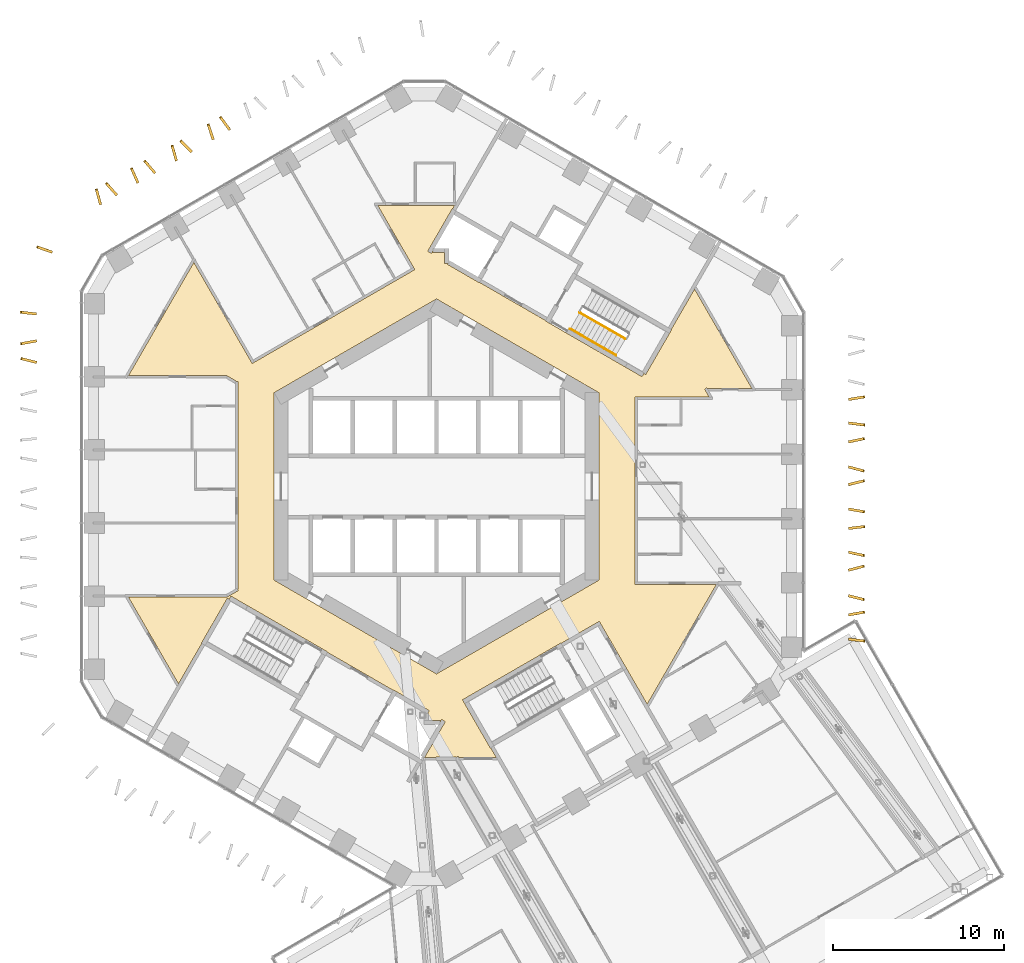
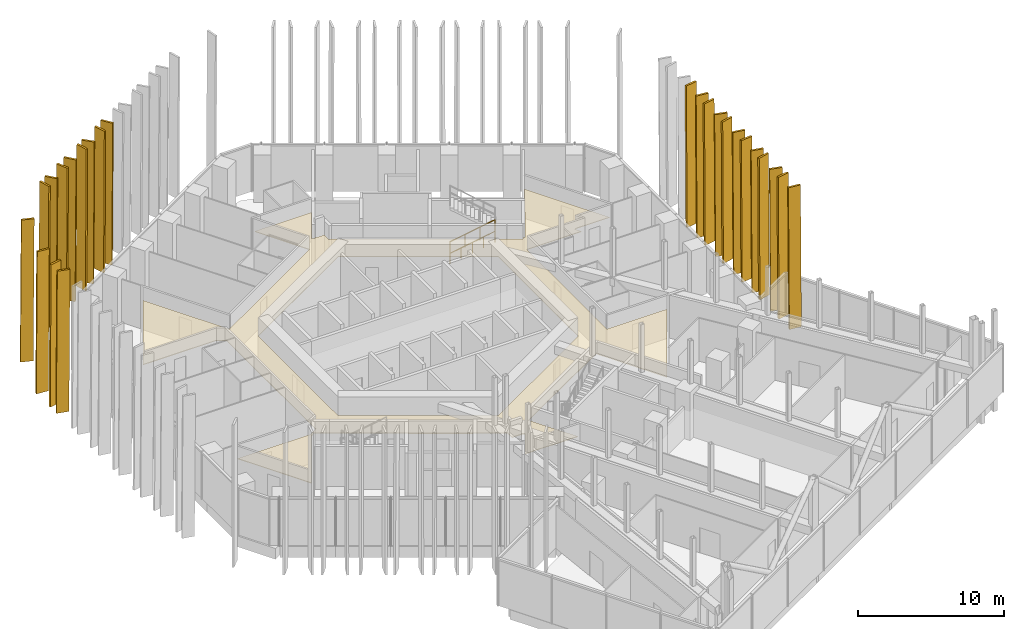
# One storey, part 28 of 29: 24 shading devices, 3 railings, 1 covering.
"""IFC4 building model written with IfcOpenShell, lengths in metres."""

from ifc_helpers import new_model, si_unit, direction, frame, origin, origin_2d, place, context, subcontext, project, spatial, polyline, circle, outline, extrude, material, layer, layer_set, type_object, element, save


model = new_model("IFC4")

# Units and contexts
model_context = context("Model", 3, precision=1e-05, world=origin(), true_north=direction((0.0, 1.0)))
body_context = subcontext(model_context, "Body", "Model", "MODEL_VIEW")
ifc_project = project(units=[si_unit("LENGTHUNIT", "METRE"), si_unit("AREAUNIT", "SQUARE_METRE"), si_unit("VOLUMEUNIT", "CUBIC_METRE"), si_unit("PLANEANGLEUNIT", "RADIAN"), si_unit("MASSUNIT", "GRAM", prefix="KILO")], contexts=[model_context])

# Site, building, storey
site_placement = place(None, origin())
site = spatial("IfcSite", under=ifc_project, at=site_placement, CompositionType="ELEMENT")
building_placement = place(site_placement, origin())
building = spatial("IfcBuilding", under=site, at=building_placement, Name="Ayvan Gate Tower", CompositionType="ELEMENT")
storey_placement = place(building_placement, frame((0.0, 0.0, 66.300048828125)))
storey = spatial("IfcBuildingStorey", under=building, at=storey_placement, Name="L17", CompositionType="ELEMENT", Elevation=66.300048828125)

# Shading devices
ifc_material_1 = material(Name="Bronze anodised aluminium", Category="aluminium")
ifc_layer_1 = layer(ifc_material_1, 0.14990234375)
ifc_layer_set_1 = layer_set([ifc_layer_1], Name="Bronze anodised aluminium")
shading_device_type = type_object("IfcShadingDeviceType", Name="Bronze fin 900 x 150", PredefinedType="USERDEFINED", material=ifc_layer_set_1)
shading_device_1_placement = place(storey_placement, frame((24.170654296875, -9.021240234375, 0.0), z_axis=(-0.116919944087, -0.993141334805, 0.000125603117), x_axis=(0.993141342639, -0.116919945009, 0.0)))
element("IfcShadingDevice", 1, at=shading_device_1_placement, inside=storey, type_object=shading_device_type, Name="Bronze fin FG05.6.52", ObjectType="FIN", PredefinedType="USERDEFINED", context=body_context, shape_type="SweptSolid", body=[
    extrude(outline(polyline([(0.0, 0.0), (0.8999714237550794, 1.6940658945086007e-21), (0.8312101170041827, 11.879882906209366), (-0.06876130675089671, 11.879882906209366), (0.0, 0.0)])), origin(), (0.0, 0.0, -1.0), 0.14990234375),
])
shading_device_2_placement = place(storey_placement, frame((24.188232421875, -7.578857421875, 0.0), z_axis=(0.170992085078, -0.985272395063, 0.000119866727), x_axis=(0.985272402141, 0.170992086304, -1.6015e-08)))
element("IfcShadingDevice", 2, at=shading_device_2_placement, inside=storey, type_object=shading_device_type, Name="Bronze fin FG05.6.53", ObjectType="FIN", PredefinedType="USERDEFINED", context=body_context, shape_type="SweptSolid", body=[
    extrude(outline(polyline([(0.0, 0.0), (0.9002001101931346, 3.3881317890172014e-21), (0.8313345225197123, 11.879882911159067), (-0.06890733378824267, 11.879882882325052), (0.0, 0.0)])), origin(), (0.0, 0.0, -1.0), 0.14990234375),
])
shading_device_3_placement = place(storey_placement, frame((24.149658203125, -6.48583984375, 0.0), z_axis=(-0.243173801141, -0.969982724907, 0.000125779677), x_axis=(0.969982732579, -0.243173803066, -1.6546e-08)))
element("IfcShadingDevice", 3, at=shading_device_3_placement, inside=storey, type_object=shading_device_type, Name="Bronze fin FG05.6.54", ObjectType="FIN", PredefinedType="USERDEFINED", context=body_context, shape_type="SweptSolid", body=[
    extrude(outline(polyline([(0.0, 0.0), (0.9000940315074558, -6.776263578034403e-21), (0.831228273786101, 11.87988292022663), (-0.06880638911709061, 11.87988289044145), (0.0, 0.0)])), origin(), (0.0, 0.0, -1.0), 0.14990234375),
])
shading_device_4_placement = place(storey_placement, frame((24.185546875, -4.9609375, 0.0), z_axis=(0.255821720666, -0.966723967755, 0.000131921094), x_axis=(0.966723976167, 0.255821722893, 4.578e-09)))
element("IfcShadingDevice", 4, at=shading_device_4_placement, inside=storey, type_object=shading_device_type, Name="Bronze fin FG05.6.55", ObjectType="FIN", PredefinedType="USERDEFINED", context=body_context, shape_type="SweptSolid", body=[
    extrude(outline(polyline([(0.0, 0.0), (0.8998235868581488, 0.0), (0.8310329666431684, 11.879882912069121), (-0.06902663681072432, 11.879882920309528), (0.0, 0.0)])), origin(), (0.0, 0.0, -1.0), 0.14990234375),
])
shading_device_5_placement = place(storey_placement, frame((24.156494140625, -3.9384765625, 0.0), z_axis=(-0.207240688221, -0.97828997653, 0.00013771639), x_axis=(0.978289985807, -0.207240690187, -3.871e-09)))
element("IfcShadingDevice", 5, at=shading_device_5_placement, inside=storey, type_object=shading_device_type, Name="Bronze fin FG05.6.56", ObjectType="FIN", PredefinedType="USERDEFINED", context=body_context, shape_type="SweptSolid", body=[
    extrude(outline(polyline([(0.0, 0.0), (0.8999134707333823, 0.0), (0.8311824430584546, 11.879882928373622), (-0.06896986800349401, 11.879882921404816), (0.0, 0.0)])), origin(), (0.0, 0.0, -1.0), 0.14990234375),
])
shading_device_6_placement = place(storey_placement, frame((24.188232421875, -2.52490234375, 0.0), z_axis=(0.11501535014, -0.993363708046, 0.000112998218), x_axis=(0.993363714388, 0.115015350874, 0.0)))
element("IfcShadingDevice", 6, at=shading_device_6_placement, inside=storey, type_object=shading_device_type, Name="Bronze fin FG05.6.57", ObjectType="FIN", PredefinedType="USERDEFINED", context=body_context, shape_type="SweptSolid", body=[
    extrude(outline(polyline([(0.0, 0.0), (0.9000157301905641, 0.0), (0.8311093292587497, 11.87988288834472), (-0.06890640093181438, 11.87988288834472), (0.0, 0.0)])), origin(), (0.0, 0.0, -1.0), 0.14990234375),
])
shading_device_7_placement = place(storey_placement, frame((24.162841796875, -1.412109375, 0.0), z_axis=(-0.169366518558, -0.985553128006, 0.000119452666), x_axis=(0.985553135038, -0.169366519764, 1.5964e-08)))
element("IfcShadingDevice", 7, at=shading_device_7_placement, inside=storey, type_object=shading_device_type, Name="Bronze fin FG05.6.58", ObjectType="FIN", PredefinedType="USERDEFINED", context=body_context, shape_type="SweptSolid", body=[
    extrude(outline(polyline([(0.0, 0.0), (0.9001916018214011, 3.3881317890172014e-21), (0.8313503256670608, 11.879882883984706), (-0.0688826254023296, 11.879882912727297), (0.0, 0.0)])), origin(), (0.0, 0.0, -1.0), 0.14990234375),
])
shading_device_8_placement = place(storey_placement, frame((24.186279296875, 0.04736328125, 0.0), z_axis=(0.240907528111, -0.970548065108, 0.000127333415), x_axis=(0.970548072977, 0.240907530063, -4.16e-09)))
element("IfcShadingDevice", 8, at=shading_device_8_placement, inside=storey, type_object=shading_device_type, Name="Bronze fin FG05.6.59", ObjectType="FIN", PredefinedType="USERDEFINED", context=body_context, shape_type="SweptSolid", body=[
    extrude(outline(polyline([(0.0, 0.0), (0.9000358622575364, 0.0), (0.8309910044806206, 11.879882912266332), (-0.0688079075637869, 11.879882904778162), (0.0, 0.0)])), origin(), (0.0, 0.0, -1.0), 0.14990234375),
])
shading_device_9_placement = place(storey_placement, frame((24.146728515625, 1.0537109375, 0.0), z_axis=(-0.256869085612, -0.96644620067, 0.000118604222), x_axis=(0.966446207468, -0.256869087418, 0.0)))
element("IfcShadingDevice", 9, at=shading_device_9_placement, inside=storey, type_object=shading_device_type, Name="Bronze fin FG05.6.60", ObjectType="FIN", PredefinedType="USERDEFINED", context=body_context, shape_type="SweptSolid", body=[
    extrude(outline(polyline([(0.0, 0.0), (0.9000739411603745, 0.0), (0.8312402714722882, 11.879882896056928), (-0.06883366968808632, 11.879882896056928), (0.0, 0.0)])), origin(), (0.0, 0.0, -1.0), 0.14990234375),
])
shading_device_10_placement = place(storey_placement, frame((24.1875, 2.540771484375, 0.0), z_axis=(0.21241837981, -0.977178804696, 0.000124789062), x_axis=(0.977178812304, 0.212418381464, 0.0)))
element("IfcShadingDevice", 10, at=shading_device_10_placement, inside=storey, type_object=shading_device_type, Name="Bronze fin FG05.6.61", ObjectType="FIN", PredefinedType="USERDEFINED", context=body_context, shape_type="SweptSolid", body=[
    extrude(outline(polyline([(0.0, 0.0), (0.8999320494643508, 0.0), (0.831047986083659, 11.879882904998611), (-0.06888406338069175, 11.879882904998611), (0.0, 0.0)])), origin(), (0.0, 0.0, -1.0), 0.14990234375),
])
shading_device_11_placement = place(storey_placement, frame((24.169921875, 3.626953125, 0.0), z_axis=(-0.122331960709, -0.992489233338, 0.000114446204), x_axis=(0.992489239837, -0.12233196151, 0.0)))
element("IfcShadingDevice", 11, at=shading_device_11_placement, inside=storey, type_object=shading_device_type, Name="Bronze fin FG05.6.62", ObjectType="FIN", PredefinedType="USERDEFINED", context=body_context, shape_type="SweptSolid", body=[
    extrude(outline(polyline([(0.0, 0.0), (0.9000707625015218, 0.0), (0.8312724772537068, 11.87988289030096), (-0.06879828524781506, 11.87988289030096), (0.0, 0.0)])), origin(), (0.0, 0.0, -1.0), 0.14990234375),
])
shading_device_12_placement = place(storey_placement, frame((24.1884765625, 5.0234375, 0.0), z_axis=(0.162749270337, -0.986667451419, 0.000123750986), x_axis=(0.986667458974, 0.162749271584, 2.732e-09)))
element("IfcShadingDevice", 12, at=shading_device_12_placement, inside=storey, type_object=shading_device_type, Name="Bronze fin FG05.6.63", ObjectType="FIN", PredefinedType="USERDEFINED", context=body_context, shape_type="SweptSolid", body=[
    extrude(outline(polyline([(0.0, 0.0), (0.8999411892675948, 3.3881317890172014e-21), (0.831144788148625, 11.879882901195488), (-0.06903728672907099, 11.879882906113233), (0.0, 0.0)])), origin(), (0.0, 0.0, -1.0), 0.14990234375),
])
shading_device_13_placement = place(storey_placement, frame((-12.075927734375, 20.957763671875, 0.0), z_axis=(0.807296671826, 0.590145802943, 0.000122179778), x_axis=(-0.590145807349, 0.807296677851, 1.3377e-08)))
element("IfcShadingDevice", 13, at=shading_device_13_placement, inside=storey, type_object=shading_device_type, Name="Bronze fin FG05.10.91", ObjectType="FIN", PredefinedType="USERDEFINED", context=body_context, shape_type="SweptSolid", body=[
    extrude(outline(polyline([(0.0, 0.0), (0.9000664526548843, -1.3552527156068805e-20), (0.8311971893650119, 11.879882890051677), (-0.06872518472362511, 11.87988291413064), (0.0, 0.0)])), origin(), (0.0, 0.0, -1.0), 0.14990234375),
])
shading_device_14_placement = place(storey_placement, frame((-13.014404296875, 20.380859375, 0.0), z_axis=(0.949116402528, 0.314925448224, 0.000128508212), x_axis=(-0.314925450824, 0.949116410365, 0.0)))
element("IfcShadingDevice", 14, at=shading_device_14_placement, inside=storey, type_object=shading_device_type, Name="Bronze fin FG05.10.92", ObjectType="FIN", PredefinedType="USERDEFINED", context=body_context, shape_type="SweptSolid", body=[
    extrude(outline(polyline([(0.0, 0.0), (0.9000455977227162, 0.0), (0.8311002258436092, 11.879882910594334), (-0.06894537187910693, 11.879882910594334), (0.0, 0.0)])), origin(), (0.0, 0.0, -1.0), 0.14990234375),
])
shading_device_15_placement = place(storey_placement, frame((-14.311767578125, 19.6640625, 0.0), z_axis=(0.710421866414, 0.70377607194, 0.00011083571), x_axis=(-0.703776076264, 0.710421870777, 1.0678e-08)))
element("IfcShadingDevice", 15, at=shading_device_15_placement, inside=storey, type_object=shading_device_type, Name="Bronze fin FG05.10.93", ObjectType="FIN", PredefinedType="USERDEFINED", context=body_context, shape_type="SweptSolid", body=[
    extrude(outline(polyline([(0.0, 0.0), (0.9001205560230299, 6.776263578034403e-21), (0.8312333790454912, 11.87988287659331), (-0.06871535664641966, 11.879882895815136), (0.0, 0.0)])), origin(), (0.0, 0.0, -1.0), 0.14990234375),
])
shading_device_16_placement = place(storey_placement, frame((-15.1630859375, 19.13037109375, 0.0), z_axis=(0.962652035901, 0.270741646281, 0.000136913229), x_axis=(-0.270741648818, 0.962652044923, -5.027e-09)))
element("IfcShadingDevice", 16, at=shading_device_16_placement, inside=storey, type_object=shading_device_type, Name="Bronze fin FG05.10.94", ObjectType="FIN", PredefinedType="USERDEFINED", context=body_context, shape_type="SweptSolid", body=[
    extrude(outline(polyline([(0.0, 0.0), (0.9000615900765889, 0.0), (0.8310384405754466, 11.879882928023497), (-0.0687881270292371, 11.879882918974845), (0.0, 0.0)])), origin(), (0.0, 0.0, -1.0), 0.14990234375),
])
shading_device_17_placement = place(storey_placement, frame((-16.453125, 18.430908203125, 0.0), z_axis=(0.76040437476, 0.64944990124, 0.000112365298), x_axis=(-0.64944990534, 0.76040437956, 0.0)))
element("IfcShadingDevice", 17, at=shading_device_17_placement, inside=storey, type_object=shading_device_type, Name="Bronze fin FG05.10.95", ObjectType="FIN", PredefinedType="USERDEFINED", context=body_context, shape_type="SweptSolid", body=[
    extrude(outline(polyline([(0.0, 0.0), (0.8999503294165867, -6.776263578034403e-21), (0.8310978665748096, 11.879882887497466), (-0.06885246284177711, 11.879882887497466), (0.0, 0.0)])), origin(), (0.0, 0.0, -1.0), 0.14990234375),
])
shading_device_18_placement = place(storey_placement, frame((-17.427001953125, 17.8505859375, 0.0), z_axis=(0.91245868654, 0.4091688254, 0.000132956606), x_axis=(-0.409168829015, 0.912458694606, -1.6454e-08)))
element("IfcShadingDevice", 18, at=shading_device_18_placement, inside=storey, type_object=shading_device_type, Name="Bronze fin FG05.10.96", ObjectType="FIN", PredefinedType="USERDEFINED", context=body_context, shape_type="SweptSolid", body=[
    extrude(outline(polyline([(0.0, 0.0), (0.9000336042016495, 6.776263578034403e-21), (0.831225141404441, 11.879882931180145), (-0.06890835753085464, 11.879882901559993), (0.0, 0.0)])), origin(), (0.0, 0.0, -1.0), 0.14990234375),
])
shading_device_19_placement = place(storey_placement, frame((-18.690185546875, 17.138916015625, 0.0), z_axis=(0.748351522836, 0.663302328561, 0.00013854654), x_axis=(-0.663302334928, 0.748351530017, 1.2467e-08)))
element("IfcShadingDevice", 19, at=shading_device_19_placement, inside=storey, type_object=shading_device_type, Name="Bronze fin FG05.10.97", ObjectType="FIN", PredefinedType="USERDEFINED", context=body_context, shape_type="SweptSolid", body=[
    extrude(outline(polyline([(0.0, 0.0), (0.8998358712613181, 0.0), (0.8310819656759802, 11.879882916157124), (-0.06893660859559597, 11.879882938595497), (0.0, 0.0)])), origin(), (0.0, 0.0, -1.0), 0.14990234375),
])
shading_device_20_placement = place(storey_placement, frame((-19.598876953125, 16.567626953125, 0.0), z_axis=(0.964795108599, 0.263002631178, 0.000120073052), x_axis=(-0.263002633073, 0.964795115554, -1.1432e-08)))
element("IfcShadingDevice", 20, at=shading_device_20_placement, inside=storey, type_object=shading_device_type, Name="Bronze fin FG05.10.98", ObjectType="FIN", PredefinedType="USERDEFINED", context=body_context, shape_type="SweptSolid", body=[
    extrude(outline(polyline([(0.0, 0.0), (0.8998195757708535, -3.3881317890172014e-21), (0.8311492139888191, 11.879882907640736), (-0.06897011709175765, 11.879882887064467), (0.0, 0.0)])), origin(), (0.0, 0.0, -1.0), 0.14990234375),
])
shading_device_21_placement = place(storey_placement, frame((-22.520751953125, 13.800048828125, 0.0), z_axis=(0.325936339074, 0.945391711753, 0.000119247062), x_axis=(-0.945391718475, 0.325936341389, 1.5292e-08)))
element("IfcShadingDevice", 21, at=shading_device_21_placement, inside=storey, type_object=shading_device_type, Name="Bronze fin FG05.11.99", ObjectType="FIN", PredefinedType="USERDEFINED", context=body_context, shape_type="SweptSolid", body=[
    extrude(outline(polyline([(0.0, 0.0), (0.8999364465075954, 6.776263578034403e-21), (0.8310536617387217, 11.879882884256869), (-0.06896235907097066, 11.879882911781324), (0.0, 0.0)])), origin(), (0.0, 0.0, -1.0), 0.14990234375),
])
shading_device_22_placement = place(storey_placement, frame((-23.459716796875, 10.173828125, 0.0), z_axis=(0.106873121747, 0.994272659301, 0.000121717596), x_axis=(-0.994272666666, 0.106873122539, 1.764e-09)))
element("IfcShadingDevice", 22, at=shading_device_22_placement, inside=storey, type_object=shading_device_type, Name="Bronze fin FG05.12.100", ObjectType="FIN", PredefinedType="USERDEFINED", context=body_context, shape_type="SweptSolid", body=[
    extrude(outline(polyline([(0.0, 0.0), (0.900173732001286, 0.0), (0.8312665803313133, 11.879882899034882), (-0.06866440931971259, 11.87988290221032), (0.0, 0.0)])), origin(), (0.0, 0.0, -1.0), 0.14990234375),
])
shading_device_23_placement = place(storey_placement, frame((-23.47607421875, 8.580078125, 0.0), z_axis=(-0.17863477265, 0.983915444801, 0.000124432065), x_axis=(-0.983915452417, -0.178634774035, 1.6606e-08)))
element("IfcShadingDevice", 23, at=shading_device_23_placement, inside=storey, type_object=shading_device_type, Name="Bronze fin FG05.12.101", ObjectType="FIN", PredefinedType="USERDEFINED", context=body_context, shape_type="SweptSolid", body=[
    extrude(outline(polyline([(0.0, 0.0), (0.8999955229507989, 0.0), (0.8310135483370825, 11.879882890670483), (-0.06893836260833673, 11.87988292056005), (0.0, 0.0)])), origin(), (0.0, 0.0, -1.0), 0.14990234375),
])
shading_device_24_placement = place(storey_placement, frame((-23.436767578125, 7.340087890625, 0.0), z_axis=(0.246331831909, 0.96918553909, 0.000139313781), x_axis=(-0.969185548495, 0.246331834298, 4.654e-09)))
element("IfcShadingDevice", 24, at=shading_device_24_placement, inside=storey, type_object=shading_device_type, Name="Bronze fin FG05.12.102", ObjectType="FIN", PredefinedType="USERDEFINED", context=body_context, shape_type="SweptSolid", body=[
    extrude(outline(polyline([(0.0, 0.0), (0.9000413257604744, -3.3881317890172014e-21), (0.8311107930175704, 11.879882923916034), (-0.06869391517735349, 11.879882932293208), (0.0, 0.0)])), origin(), (0.0, 0.0, -1.0), 0.14990234375),
])

# Covering
ifc_material_2 = material(Name="Plasterboard suspended ceiling")
ifc_layer_2 = layer(ifc_material_2, 0.050048828125)
ifc_layer_set_2 = layer_set([ifc_layer_2], Name="Plasterboard suspended ceiling")
covering_type = type_object("IfcCoveringType", Name="CT-SUSP-50", PredefinedType="CEILING", material=ifc_layer_set_2)
covering_placement = place(storey_placement, frame((0.0, 0.0, 2.39990234375)))
element("IfcCovering", 25, at=covering_placement, inside=storey, type_object=covering_type, Name="Ceiling Ring Corridor L17", PredefinedType="CEILING", context=body_context, shape_type="SweptSolid", body=[
    extrude(outline(polyline([(-15.097412109375, -11.5498046875), (-18.023193359375, -6.482421875), (-12.2470703125, -6.482421875), (-12.2470703125, -6.464599609375), (-11.597412109375, -6.089599609375), (-11.656494140625, -5.9873046875), (-11.625, -5.9873046875), (-11.625, 6.13720703125), (-11.743408203125, 6.13720703125), (-11.7275390625, 6.164794921875), (-12.2470703125, 6.464599609375), (-12.2470703125, 6.482421875), (-18.023193359375, 6.482421875), (-14.1982421875, 13.107421875), (-10.78564453125, 7.1962890625), (-10.673095703125, 7.261474609375), (-1.2724609375, 12.688720703125), (-1.33740234375, 12.80126953125), (-3.43603515625, 16.43603515625), (-2.988525390625, 16.43603515625), (-2.988525390625, 16.44970703125), (1.06787109375, 16.44970703125), (0.9404296875, 16.22900390625), (0.918701171875, 16.241455078125), (-0.511474609375, 13.76416015625), (-0.294921875, 13.63916015625), (-0.215576171875, 13.776611328125), (-0.215576171875, 13.68505859375), (0.47509765625, 13.68505859375), (0.47509765625, 13.03857421875), (0.672119140625, 13.03857421875), (0.645751953125, 12.992919921875), (2.518310546875, 11.91162109375), (2.53076171875, 11.933349609375), (6.384521484375, 9.70849609375), (6.3720703125, 9.686767578125), (6.588623046875, 9.561767578125), (11.03759765625, 6.9931640625), (12.02294921875, 6.42431640625), (12.130126953125, 6.60986328125), (12.23828125, 6.54736328125), (13.631103515625, 8.959716796875), (13.756103515625, 9.176513671875), (13.734619140625, 9.188720703125), (15.097412109375, 11.5498046875), (18.450439453125, 5.742431640625), (15.8681640625, 5.742431640625), (15.8681640625, 5.6875), (15.82080078125, 5.769775390625), (15.690673828125, 5.69482421875), (15.951904296875, 5.242431640625), (11.625, 5.242431640625), (11.625, -5.742431640625), (16.3720703125, -5.742431640625), (12.326171875, -12.749755859375), (11.123779296875, -10.667236328125), (9.623779296875, -8.069091796875), (9.52392578125, -7.89599609375), (7.2939453125, -9.183349609375), (7.281494140625, -9.16162109375), (1.522216796875, -12.48681640625), (1.647216796875, -12.703369140625), (3.147216796875, -15.30126953125), (3.1689453125, -15.288818359375), (3.492919921875, -15.849609375), (1.298828125, -15.849609375), (1.26318359375, -15.7880859375), (1.126708984375, -15.866943359375), (1.126708984375, -15.82470703125), (-0.028076171875, -15.82470703125), (-0.028076171875, -15.849609375), (-0.692626953125, -15.849609375), (0.511474609375, -13.76416015625), (0.294921875, -13.63916015625), (0.215576171875, -13.776611328125), (0.215576171875, -13.68505859375), (-0.47509765625, -13.68505859375), (-0.47509765625, -13.28857421875), (-0.52783203125, -13.28857421875), (-0.42919921875, -13.117919921875), (-2.284423828125, -12.046630859375), (-2.518310546875, -11.91162109375), (-2.53076171875, -11.933349609375), (-6.384521484375, -9.70849609375), (-6.3720703125, -9.686767578125), (-11.03759765625, -6.9931640625), (-12.02294921875, -6.42431640625), (-12.130126953125, -6.60986328125), (-12.23828125, -6.54736328125), (-13.756103515625, -9.17626953125), (-13.734619140625, -9.188720703125), (-15.097412109375, -11.5498046875)]), holes=[polyline([(9.5, 5.48486328125), (2.808349609375, 9.34814453125), (0.0, 10.9697265625), (-2.808349609375, 9.34814453125), (-9.5, 5.48486328125), (-9.5, -5.48486328125), (-2.808349609375, -9.34814453125), (0.0, -10.9697265625), (2.808349609375, -9.34814453125), (9.5, -5.48486328125), (9.5, 5.48486328125)])]), origin(), (0.0, 0.0, 1.0), 0.050048828125),
])

# Railings
ifc_material_3 = material(Name="Stainless steel balustrade", Category="steel")
railing_type_1 = type_object("IfcRailingType", Name="RL-GUARD-1100", PredefinedType="GUARDRAIL", material=ifc_material_3)
railing_placement = place(storey_placement, frame((8.381103515625, 10.16650390625, 0.16650390625)))
element("IfcRailing", 26, at=railing_placement, inside=storey, type_object=railing_type_1, Name="L17 STS1 stair guard 1", PredefinedType="GUARDRAIL", context=body_context, shape_type="SweptSolid", body=[
    extrude(circle(Radius=0.02392578125, at=origin_2d()), frame((0.0, 0.0, 1.076171875), z_axis=(0.7441639146, -0.429634447492, 0.511502013422), x_axis=(0.499992328818, 0.866029832698, 0.0)), (0.0, 0.0, 1.0), 3.58447265625),
    extrude(circle(Radius=0.02099609375, at=origin_2d()), origin(), (0.0, 0.0, 1.0), 1.052001953125),
    extrude(circle(Radius=0.02099609375, at=origin_2d()), frame((0.88916015625, -0.513427734375, 0.611083984375)), (0.0, 0.0, 1.0), 1.052001953125),
    extrude(circle(Radius=0.02099609375, at=origin_2d()), frame((1.7783203125, -1.026611328125, 1.222412109375)), (0.0, 0.0, 1.0), 1.052001953125),
    extrude(circle(Radius=0.02099609375, at=origin_2d()), frame((2.66748046875, -1.5400390625, 1.83349609375)), (0.0, 0.0, 1.0), 1.052001953125),
])
railing_type_2 = type_object("IfcRailingType", Name="RL-HANDRAIL-900", PredefinedType="HANDRAIL", material=ifc_material_3)
for number, where, name in (
    (27, (7.8310546875, 9.2138671875, 0.16650390625), "L17 STS1 stair handrail 1"),
    (28, (9.164794921875, 8.44384765625, 1.083251953125), "L17 STS1 stair handrail 2"),
):
    element("IfcRailing", number, at=place(storey_placement, frame(where)), inside=storey, type_object=railing_type_2, Name=name, PredefinedType="HANDRAIL", context=body_context, shape_type="SweptSolid", body=[
        extrude(circle(Radius=0.02392578125, at=origin_2d()), frame((0.0, 0.0, 0.8759765625), z_axis=(0.7441639146, -0.429634447492, 0.511502013422), x_axis=(0.499992328818, 0.866029832698, 0.0)), (0.0, 0.0, 1.0), 1.792236328125),
        extrude(circle(Radius=0.02099609375, at=origin_2d()), origin(), (0.0, 0.0, 1.0), 0.851806640625),
        extrude(circle(Radius=0.02099609375, at=origin_2d()), frame((0.6669921875, -0.385009765625, 0.45849609375)), (0.0, 0.0, 1.0), 0.851806640625),
        extrude(circle(Radius=0.02099609375, at=origin_2d()), frame((1.333740234375, -0.77001953125, 0.916748046875)), (0.0, 0.0, 1.0), 0.851806640625),
    ])

save(model, "model.ifc")
